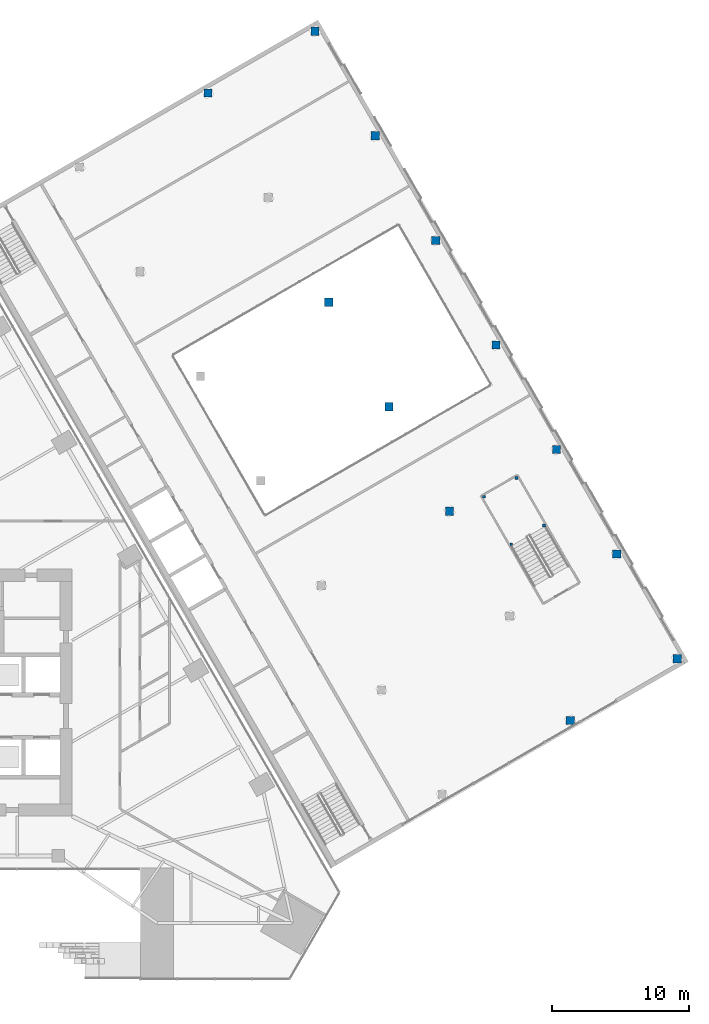
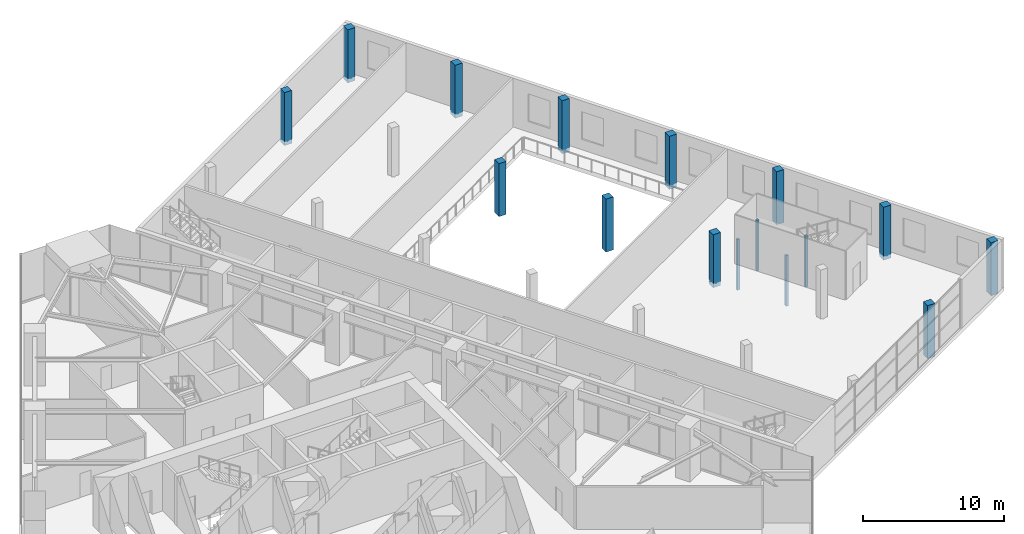
# One storey, part 2 of 30: 16 columns.
"""IFC4 building model written with IfcOpenShell, lengths in metres."""

from ifc_helpers import new_model, si_unit, direction, frame, origin, origin_2d, place, context, subcontext, project, spatial, rectangle, extrude, material, material_profile, profile_set, type_object, element, save


model = new_model("IFC4")

# Units and contexts
model_context = context("Model", 3, precision=1e-05, world=origin(), true_north=direction((0.0, 1.0)))
body_context = subcontext(model_context, "Body", "Model", "MODEL_VIEW")
ifc_project = project(units=[si_unit("LENGTHUNIT", "METRE"), si_unit("AREAUNIT", "SQUARE_METRE"), si_unit("VOLUMEUNIT", "CUBIC_METRE"), si_unit("PLANEANGLEUNIT", "RADIAN"), si_unit("MASSUNIT", "GRAM", prefix="KILO")], contexts=[model_context])

# Site, building, storey
site_placement = place(None, origin())
site = spatial("IfcSite", under=ifc_project, at=site_placement, CompositionType="ELEMENT")
building_placement = place(site_placement, origin())
building = spatial("IfcBuilding", under=site, at=building_placement, Name="Firuza Gate Tower and Library", CompositionType="ELEMENT")
storey_placement = place(building_placement, frame((0.0, 0.0, 12.60009765625)))
storey = spatial("IfcBuildingStorey", under=building, at=storey_placement, Name="L02", CompositionType="ELEMENT", Elevation=12.60009765625)

# Columns
ifc_material_1 = material(Name="Concrete C40/50", Category="concrete")
ifc_material_profile_1 = material_profile(ifc_material_1, rectangle(XDim=0.60009765625, YDim=0.60009765625, at=origin_2d()))
ifc_profile_set_1 = profile_set([ifc_material_profile_1], Name="Concrete C40/50")
column_type_1 = type_object("IfcColumnType", Name="LIB COLUMN 600", PredefinedType="COLUMN", material=ifc_profile_set_1)
for number, where, z_axis, x_axis, name in (
    (1, (124.2998046875, 72.979248046875, -0.360107421875), (0.0, 0.0, 1.0), (1.0, 0.0, 0.0), "Library column 1B"),
    (2, (132.09423828125, 77.479248046875, -0.360107421875), (0.0, 0.0, 1.0), (1.0, 0.0, 0.0), "Library column 1C"),
    (3, (127.694091796875, 85.100341796875, -0.360107421875), (0.0, 0.0, 1.0), (1.0, 0.0, 0.0), "Library column 2C"),
    (4, (115.5, 88.22119140625, -0.360107421875), (0.0, 0.0, 1.0), (1.0, 0.0, 0.0), "Library column 3B"),
    (5, (123.294189453125, 92.72119140625, -0.360107421875), (0.0, 0.0, 1.0), (1.0, 0.0, 0.0), "Library column 3C"),
    (6, (111.099853515625, 95.84228515625, -0.360107421875), (0.0, 0.0, 1.0), (1.0, 0.0, 0.0), "Library column 4B"),
    (7, (118.894287109375, 100.34228515625, -0.360107421875), (0.0, 0.0, 1.0), (1.0, 0.0, 0.0), "Library column 4C"),
    (8, (106.699951171875, 103.46337890625, -0.360107421875), (0.0, 0.0, 1.0), (1.0, 0.0, 0.0), "Library column 5B"),
    (9, (114.494140625, 107.96337890625, -0.360107421875), (0.0, 0.0, 1.0), (1.0, 0.0, 0.0), "Library column 5C"),
    (10, (110.09423828125, 115.58447265625, -0.360107421875), (0.0, 0.0, 1.0), (1.0, 0.0, 0.0), "Library column 6C"),
    (11, (97.89990234375, 118.705322265625, -0.360107421875), (0.0, 0.0, 1.0), (1.0, 0.0, 0.0), "Library column 7B"),
    (12, (105.694091796875, 123.205322265625, -0.360107421875), (0.0, 0.0, 1.0), (1.0, 0.0, 0.0), "Library column 7C"),
):
    element("IfcColumn", number, at=place(storey_placement, frame(where, z_axis=z_axis, x_axis=x_axis)), inside=storey, type_object=column_type_1, Name=name, PredefinedType="COLUMN", context=body_context, shape_type="SweptSolid", body=[
        extrude(rectangle(XDim=0.60009765625, YDim=0.60009765625, at=origin_2d()), origin(), (0.0, 0.0, 1.0), 4.60009765625),
    ])
ifc_material_2 = material(Name="Concrete C40/50", Category="concrete")
ifc_material_profile_2 = material_profile(ifc_material_2, rectangle(XDim=0.199951171875, YDim=0.199951171875, at=origin_2d()))
ifc_profile_set_2 = profile_set([ifc_material_profile_2], Name="Concrete C40/50")
column_type_2 = type_object("IfcColumnType", Name="LIB STAIR POST 200", PredefinedType="COLUMN", material=ifc_profile_set_2)
for number, where, z_axis, x_axis, name in (
    (13, (122.389892578125, 87.187744140625, -2.300048828125), (0.0, 0.0, 1.0), (1.0, 0.0, 0.0), "LIB-ST-C landing post L02"),
    (14, (120.00830078125, 85.812744140625, -2.300048828125), (0.0, 0.0, 1.0), (1.0, 0.0, 0.0), "LIB-ST-C landing post L02"),
    (15, (120.389892578125, 90.65185546875, -2.300048828125), (0.0, 0.0, 1.0), (1.0, 0.0, 0.0), "LIB-ST-C landing post L02"),
    (16, (118.00830078125, 89.27685546875, -2.300048828125), (0.0, 0.0, 1.0), (1.0, 0.0, 0.0), "LIB-ST-C landing post L02"),
):
    element("IfcColumn", number, at=place(storey_placement, frame(where, z_axis=z_axis, x_axis=x_axis)), inside=storey, type_object=column_type_2, Name=name, PredefinedType="COLUMN", context=body_context, shape_type="SweptSolid", body=[
        extrude(rectangle(XDim=0.199951171875, YDim=0.199951171875, at=origin_2d()), origin(), (0.0, 0.0, 1.0), 4.39990234375),
    ])

save(model, "model.ifc")
